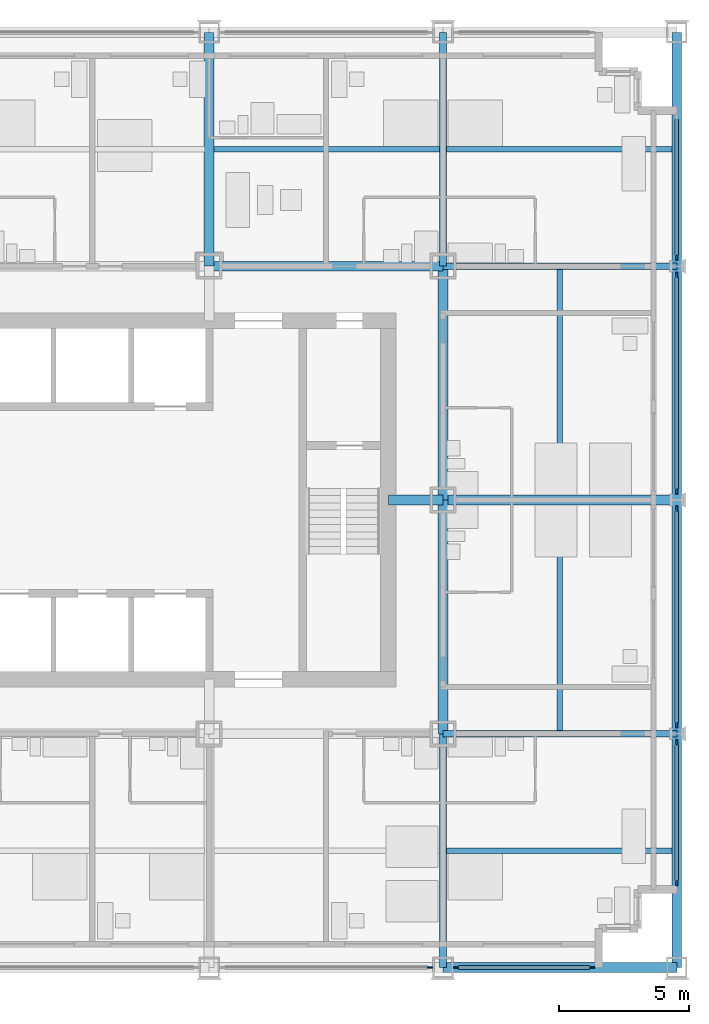
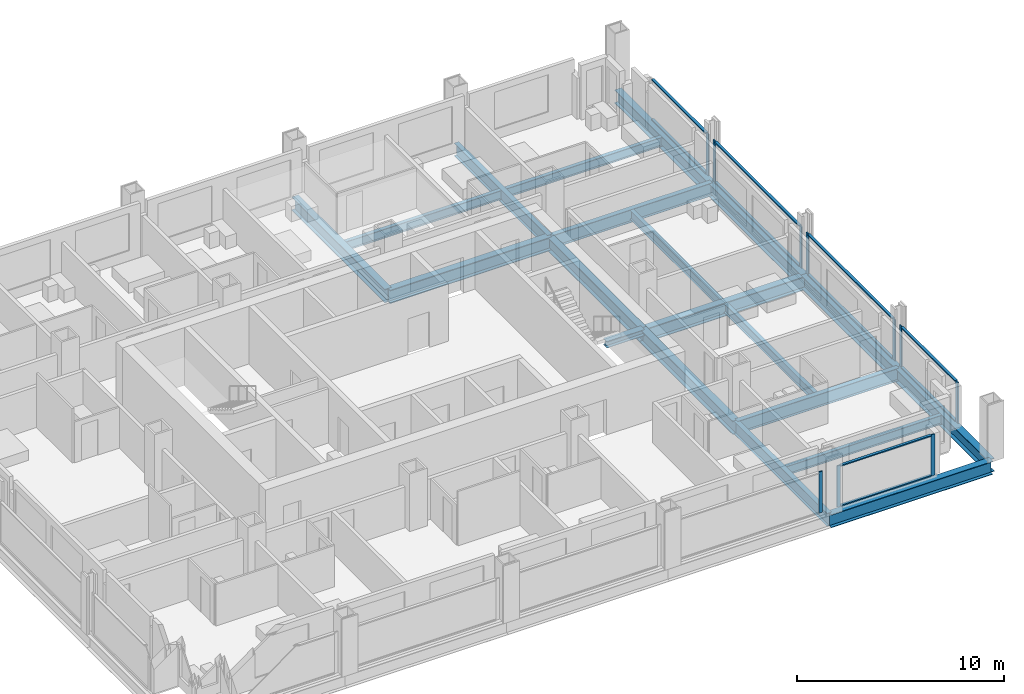
# One storey, part 5 of 16: 21 members, 19 beams, 6 elements without a shape of their own.
"""IFC4 building model written with IfcOpenShell, lengths in metres."""

from ifc_helpers import new_model, si_unit, direction, frame, origin, origin_2d, place, context, subcontext, project, spatial, rectangle, i_section, extrude, material, material_profile, profile_set, type_object, element, aggregate, save


model = new_model("IFC4")

# Units and contexts
model_context = context("Model", 3, precision=1e-05, world=origin(), true_north=direction((0.0, 1.0)))
body_context = subcontext(model_context, "Body", "Model", "MODEL_VIEW")
ifc_project = project(units=[si_unit("LENGTHUNIT", "METRE"), si_unit("AREAUNIT", "SQUARE_METRE"), si_unit("VOLUMEUNIT", "CUBIC_METRE"), si_unit("PLANEANGLEUNIT", "RADIAN"), si_unit("MASSUNIT", "GRAM", prefix="KILO")], contexts=[model_context])

# Site, building, storey
site_placement = place(None, origin())
site = spatial("IfcSite", under=ifc_project, at=site_placement, CompositionType="ELEMENT")
building_placement = place(site_placement, origin())
building = spatial("IfcBuilding", under=site, at=building_placement, Name="Loomwork Tower", CompositionType="ELEMENT")
storey_placement = place(building_placement, frame((0.0, 0.0, 97.60009765625)))
storey = spatial("IfcBuildingStorey", under=building, at=storey_placement, Name="L25", CompositionType="ELEMENT", Elevation=97.60009765625)

# Beams
ifc_material_1 = material(Name="Steel ASTM A992", Category="steel")
ifc_material_profile_1 = material_profile(ifc_material_1, i_section(OverallWidth=0.383544921875, OverallDepth=0.794921875, WebThickness=0.02099609375, FlangeThickness=0.0380859375, at=origin_2d()), Name="W30x235")
ifc_profile_set_1 = profile_set([ifc_material_profile_1], Name="Steel ASTM A992")
beam_type_1 = type_object("IfcBeamType", Name="CORE FLANK GIRDER W30x235", PredefinedType="BEAM", material=ifc_profile_set_1)
for number, where, z_axis, x_axis, name in (
    (1, (36.0, 18.0, -0.59765625), (1.0, 0.0, 0.0), (0.0, 1.0, 0.0), "Core Flank Girder F/6-F/7 L25"),
    (2, (27.0, 27.0, -0.59765625), (1.0, 0.0, 0.0), (0.0, 1.0, 0.0), "Core Flank Girder G/5-G/6 L25"),
    (3, (27.0, 27.0, -0.59765625), (0.0, 1.0, 0.0), (-1.0, 0.0, 0.0), "Core Flank Girder G/5-H/5 L25"),
    (4, (36.0, 9.0, -0.59765625), (0.0, 1.0, 0.0), (-1.0, 0.0, 0.0), "Core Flank Girder E/6-F/6 L25"),
    (5, (36.0, 18.0, -0.59765625), (0.0, 1.0, 0.0), (-1.0, 0.0, 0.0), "Core Flank Girder F/6-G/6 L25"),
):
    element("IfcBeam", number, at=place(storey_placement, frame(where, z_axis=z_axis, x_axis=x_axis)), inside=storey, type_object=beam_type_1, Name=name, PredefinedType="BEAM", context=body_context, shape_type="SweptSolid", body=[
        extrude(i_section(OverallWidth=0.383544921875, OverallDepth=0.794921875, WebThickness=0.02099609375, FlangeThickness=0.0380859375, at=origin_2d()), origin(), (0.0, 0.0, 1.0), 9.0),
    ])

# Member
ifc_material_2 = material(Name="Steel ASTM A992", Category="steel")
ifc_material_profile_2 = material_profile(ifc_material_2, i_section(OverallWidth=0.373291015625, OverallDepth=0.373291015625, WebThickness=0.016357421875, FlangeThickness=0.026123046875, at=origin_2d()), Name="W14x132")
ifc_profile_set_2 = profile_set([ifc_material_profile_2], Name="Steel ASTM A992")
member_type_1 = type_object("IfcMemberType", Name="CORE LINK STRUT W14x132", PredefinedType="STRUT", material=ifc_profile_set_2)
member_1_placement = place(storey_placement, frame((36.0, 18.0, -0.38671875), z_axis=(-1.0, 0.0, 0.0), x_axis=(0.0, -1.0, 0.0)))
element("IfcMember", 6, at=member_1_placement, inside=storey, type_object=member_type_1, Name="Core link strut F/6-33.900,18.000 L25", PredefinedType="STRUT", context=body_context, shape_type="SweptSolid", body=[
    extrude(i_section(OverallWidth=0.373291015625, OverallDepth=0.373291015625, WebThickness=0.016357421875, FlangeThickness=0.026123046875, at=origin_2d()), origin(), (0.0, 0.0, 1.0), 2.10009765625),
])

# Beams
ifc_material_3 = material(Name="Steel ASTM A992", Category="steel")
ifc_material_profile_3 = material_profile(ifc_material_3, i_section(OverallWidth=0.2666015625, OverallDepth=0.761962890625, WebThickness=0.014404296875, FlangeThickness=0.021484375, at=origin_2d()), Name="W30x116")
ifc_profile_set_3 = profile_set([ifc_material_profile_3], Name="Steel ASTM A992")
beam_type_2 = type_object("IfcBeamType", Name="FLOOR GIRDER W30x116", PredefinedType="BEAM", material=ifc_profile_set_3)
for number, where, z_axis, x_axis, name in (
    (7, (36.0, 9.0, -0.5810546875), (1.0, 0.0, 0.0), (0.0, 1.0, 0.0), "Floor Girder E/6-E/7 L25"),
    (8, (36.0, 27.0, -0.5810546875), (1.0, 0.0, 0.0), (0.0, 1.0, 0.0), "Floor Girder G/6-G/7 L25"),
    (9, (36.0, 0.0, -0.5810546875), (0.0, 1.0, 0.0), (-1.0, 0.0, 0.0), "Floor Girder D/6-E/6 L25"),
    (10, (36.0, 27.0, -0.5810546875), (0.0, 1.0, 0.0), (-1.0, 0.0, 0.0), "Floor Girder G/6-H/6 L25"),
):
    element("IfcBeam", number, at=place(storey_placement, frame(where, z_axis=z_axis, x_axis=x_axis)), inside=storey, type_object=beam_type_2, Name=name, PredefinedType="BEAM", context=body_context, shape_type="SweptSolid", body=[
        extrude(i_section(OverallWidth=0.2666015625, OverallDepth=0.761962890625, WebThickness=0.014404296875, FlangeThickness=0.021484375, at=origin_2d()), origin(), (0.0, 0.0, 1.0), 9.0),
    ])
ifc_material_4 = material(Name="Steel ASTM A992", Category="steel")
ifc_material_profile_4 = material_profile(ifc_material_4, i_section(OverallWidth=0.2109375, OverallDepth=0.53857421875, WebThickness=0.011474609375, FlangeThickness=0.018798828125, at=origin_2d()), Name="W21x73")
ifc_profile_set_4 = profile_set([ifc_material_profile_4], Name="Steel ASTM A992")
beam_type_3 = type_object("IfcBeamType", Name="FLOOR JOIST W21x73", PredefinedType="JOIST", material=ifc_profile_set_4)
beam_1_placement = place(storey_placement, frame((27.19091796875, 31.5, -0.46923828125), z_axis=(1.0, 0.0, 0.0), x_axis=(0.0, 1.0, 0.0)))
element("IfcBeam", 11, at=beam_1_placement, inside=storey, type_object=beam_type_3, Name="Floor Joist 27.000,31.500-36.000,31.500 L25", PredefinedType="JOIST", context=body_context, shape_type="SweptSolid", body=[
    extrude(i_section(OverallWidth=0.2109375, OverallDepth=0.53857421875, WebThickness=0.011474609375, FlangeThickness=0.018798828125, at=origin_2d()), origin(), (0.0, 0.0, 1.0), 8.676025390625),
])
beam_2_placement = place(storey_placement, frame((36.133056640625, 4.5, -0.46923828125), z_axis=(1.0, 0.0, 0.0), x_axis=(0.0, 1.0, 0.0)))
element("IfcBeam", 12, at=beam_2_placement, inside=storey, type_object=beam_type_3, Name="Floor Joist 36.000,4.500-45.000,4.500 L25", PredefinedType="JOIST", context=body_context, shape_type="SweptSolid", body=[
    extrude(i_section(OverallWidth=0.2109375, OverallDepth=0.53857421875, WebThickness=0.011474609375, FlangeThickness=0.018798828125, at=origin_2d()), origin(), (0.0, 0.0, 1.0), 8.677001953125),
])
for number, where, z_axis, x_axis, name in (
    (13, (40.5, 9.133056640625, -0.46923828125), (0.0, 1.0, 0.0), (-1.0, 0.0, 0.0), "Floor Joist 40.500,9.000-40.500,18.000 L25"),
    (14, (40.5, 18.19091796875, -0.46923828125), (0.0, 1.0, 0.0), (-1.0, 0.0, 0.0), "Floor Joist 40.500,18.000-40.500,27.000 L25"),
):
    element("IfcBeam", number, at=place(storey_placement, frame(where, z_axis=z_axis, x_axis=x_axis)), inside=storey, type_object=beam_type_3, Name=name, PredefinedType="JOIST", context=body_context, shape_type="SweptSolid", body=[
        extrude(i_section(OverallWidth=0.2109375, OverallDepth=0.53857421875, WebThickness=0.011474609375, FlangeThickness=0.018798828125, at=origin_2d()), origin(), (0.0, 0.0, 1.0), 8.676025390625),
    ])
beam_3_placement = place(storey_placement, frame((36.133056640625, 31.5, -0.46923828125), z_axis=(1.0, 0.0, 0.0), x_axis=(0.0, 1.0, 0.0)))
element("IfcBeam", 15, at=beam_3_placement, inside=storey, type_object=beam_type_3, Name="Floor Joist 36.000,31.500-45.000,31.500 L25", PredefinedType="JOIST", context=body_context, shape_type="SweptSolid", body=[
    extrude(i_section(OverallWidth=0.2109375, OverallDepth=0.53857421875, WebThickness=0.011474609375, FlangeThickness=0.018798828125, at=origin_2d()), origin(), (0.0, 0.0, 1.0), 8.677001953125),
])

# Curtain wall, member
ifc_material_5 = material(Name="Aluminium curtain wall frame", Category="aluminium")
curtain_wall_type = type_object("IfcCurtainWallType", Name="Outer skin glazing hotel", PredefinedType="NOTDEFINED", material=ifc_material_5)
curtain_wall_1_placement = place(storey_placement, origin())
curtain_wall_1 = element("IfcCurtainWall", 16, at=curtain_wall_1_placement, inside=storey, type_object=curtain_wall_type, Name="Outer skin glazing hotel cw/S-27", PredefinedType="NOTDEFINED")
ifc_material_6 = material(Name="Aluminium curtain wall frame", Category="aluminium")
ifc_material_profile_5 = material_profile(ifc_material_6, rectangle(XDim=0.06494140625, YDim=0.199951171875, at=origin_2d()), Name="AL 65x200")
ifc_profile_set_5 = profile_set([ifc_material_profile_5], Name="Aluminium curtain wall frame")
member_type_2 = type_object("IfcMemberType", Name="Outer skin glazing hotel mullion", PredefinedType="MULLION", material=ifc_profile_set_5)
member_2_placement = place(storey_placement, frame((35.5, 0.0, 0.0), z_axis=(0.0, 0.0, 1.0), x_axis=(0.0, 1.0, 0.0)))
member_2 = element("IfcMember", 17, at=member_2_placement, type_object=member_type_2, Name="CW1 mullion 2", PredefinedType="MULLION", context=body_context, shape_type="SweptSolid", body=[
    extrude(rectangle(XDim=0.06494140625, YDim=0.199951171875, at=origin_2d()), origin(), (0.0, 0.0, 1.0), 2.420166015625),
])
aggregate(curtain_wall_1, [member_2])

# Curtain wall, members
curtain_wall_2_placement = place(storey_placement, origin())
curtain_wall_2 = element("IfcCurtainWall", 18, at=curtain_wall_2_placement, inside=storey, type_object=curtain_wall_type, Name="Outer skin glazing hotel cw/S-36", PredefinedType="NOTDEFINED")
member_3_placement = place(storey_placement, frame((36.5, 0.0, 0.0), z_axis=(0.0, 0.0, 1.0), x_axis=(0.0, 1.0, 0.0)))
member_3 = element("IfcMember", 19, at=member_3_placement, type_object=member_type_2, Name="CW1 mullion 1", PredefinedType="MULLION", context=body_context, shape_type="SweptSolid", body=[
    extrude(rectangle(XDim=0.06494140625, YDim=0.199951171875, at=origin_2d()), origin(), (0.0, 0.0, 1.0), 2.420166015625),
])
member_4_placement = place(storey_placement, frame((41.75, 0.0, 0.0), z_axis=(0.0, 0.0, 1.0), x_axis=(0.0, 1.0, 0.0)))
member_4 = element("IfcMember", 20, at=member_4_placement, type_object=member_type_2, Name="CW1 mullion 2", PredefinedType="MULLION", context=body_context, shape_type="SweptSolid", body=[
    extrude(rectangle(XDim=0.06494140625, YDim=0.199951171875, at=origin_2d()), origin(), (0.0, 0.0, 1.0), 2.420166015625),
])

curtain_wall_3_placement = place(storey_placement, origin())
curtain_wall_3 = element("IfcCurtainWall", 21, at=curtain_wall_3_placement, inside=storey, type_object=curtain_wall_type, Name="Outer skin glazing hotel cw/E-0", PredefinedType="NOTDEFINED")
member_5_placement = place(storey_placement, frame((45.0, 3.25, 0.0), z_axis=(0.0, 0.0, 1.0), x_axis=(-1.0, 0.0, 0.0)))
member_5 = element("IfcMember", 22, at=member_5_placement, type_object=member_type_2, Name="CW1 mullion 1", PredefinedType="MULLION", context=body_context, shape_type="SweptSolid", body=[
    extrude(rectangle(XDim=0.06494140625, YDim=0.199951171875, at=origin_2d()), origin(), (0.0, 0.0, 1.0), 2.420166015625),
])
member_6_placement = place(storey_placement, frame((45.0, 8.67529296875, 0.0), z_axis=(0.0, 0.0, 1.0), x_axis=(-1.0, 0.0, 0.0)))
member_6 = element("IfcMember", 23, at=member_6_placement, type_object=member_type_2, Name="CW1 mullion 2", PredefinedType="MULLION", context=body_context, shape_type="SweptSolid", body=[
    extrude(rectangle(XDim=0.06494140625, YDim=0.199951171875, at=origin_2d()), origin(), (0.0, 0.0, 1.0), 2.420166015625),
])

curtain_wall_4_placement = place(storey_placement, origin())
curtain_wall_4 = element("IfcCurtainWall", 24, at=curtain_wall_4_placement, inside=storey, type_object=curtain_wall_type, Name="Outer skin glazing hotel cw/E-9", PredefinedType="NOTDEFINED")
member_7_placement = place(storey_placement, frame((45.0, 9.32470703125, 0.0), z_axis=(0.0, 0.0, 1.0), x_axis=(-1.0, 0.0, 0.0)))
member_7 = element("IfcMember", 25, at=member_7_placement, type_object=member_type_2, Name="CW1 mullion 1", PredefinedType="MULLION", context=body_context, shape_type="SweptSolid", body=[
    extrude(rectangle(XDim=0.06494140625, YDim=0.199951171875, at=origin_2d()), origin(), (0.0, 0.0, 1.0), 2.420166015625),
])
member_8_placement = place(storey_placement, frame((45.0, 17.67529296875, 0.0), z_axis=(0.0, 0.0, 1.0), x_axis=(-1.0, 0.0, 0.0)))
member_8 = element("IfcMember", 26, at=member_8_placement, type_object=member_type_2, Name="CW1 mullion 2", PredefinedType="MULLION", context=body_context, shape_type="SweptSolid", body=[
    extrude(rectangle(XDim=0.06494140625, YDim=0.199951171875, at=origin_2d()), origin(), (0.0, 0.0, 1.0), 2.420166015625),
])

curtain_wall_5_placement = place(storey_placement, origin())
curtain_wall_5 = element("IfcCurtainWall", 27, at=curtain_wall_5_placement, inside=storey, type_object=curtain_wall_type, Name="Outer skin glazing hotel cw/E-18", PredefinedType="NOTDEFINED")
member_9_placement = place(storey_placement, frame((45.0, 18.32470703125, 0.0), z_axis=(0.0, 0.0, 1.0), x_axis=(-1.0, 0.0, 0.0)))
member_9 = element("IfcMember", 28, at=member_9_placement, type_object=member_type_2, Name="CW1 mullion 1", PredefinedType="MULLION", context=body_context, shape_type="SweptSolid", body=[
    extrude(rectangle(XDim=0.06494140625, YDim=0.199951171875, at=origin_2d()), origin(), (0.0, 0.0, 1.0), 2.420166015625),
])
member_10_placement = place(storey_placement, frame((45.0, 26.67529296875, 0.0), z_axis=(0.0, 0.0, 1.0), x_axis=(-1.0, 0.0, 0.0)))
member_10 = element("IfcMember", 29, at=member_10_placement, type_object=member_type_2, Name="CW1 mullion 2", PredefinedType="MULLION", context=body_context, shape_type="SweptSolid", body=[
    extrude(rectangle(XDim=0.06494140625, YDim=0.199951171875, at=origin_2d()), origin(), (0.0, 0.0, 1.0), 2.420166015625),
])

# Curtain wall, member
curtain_wall_6_placement = place(storey_placement, origin())
curtain_wall_6 = element("IfcCurtainWall", 30, at=curtain_wall_6_placement, inside=storey, type_object=curtain_wall_type, Name="Outer skin glazing hotel cw/E-27", PredefinedType="NOTDEFINED")
member_11_placement = place(storey_placement, frame((45.0, 27.32470703125, 0.0), z_axis=(0.0, 0.0, 1.0), x_axis=(-1.0, 0.0, 0.0)))
member_11 = element("IfcMember", 31, at=member_11_placement, type_object=member_type_2, Name="CW1 mullion 1", PredefinedType="MULLION", context=body_context, shape_type="SweptSolid", body=[
    extrude(rectangle(XDim=0.06494140625, YDim=0.199951171875, at=origin_2d()), origin(), (0.0, 0.0, 1.0), 2.420166015625),
])

# Member
ifc_material_7 = material(Name="Aluminium curtain wall frame", Category="aluminium")
ifc_material_profile_6 = material_profile(ifc_material_7, rectangle(XDim=0.14990234375, YDim=0.06494140625, at=origin_2d()), Name="AL 65x150")
ifc_profile_set_6 = profile_set([ifc_material_profile_6], Name="Aluminium curtain wall frame")
member_type_3 = type_object("IfcMemberType", Name="Outer skin glazing hotel transom", PredefinedType="USERDEFINED", material=ifc_profile_set_6)
member_12_placement = place(storey_placement, frame((36.60009765625, 0.0, 0.032470703125), z_axis=(1.0, 0.0, 0.0), x_axis=(0.0, 1.0, 0.0)))
member_12 = element("IfcMember", 32, at=member_12_placement, type_object=member_type_3, Name="CW1 transom 1.1", ObjectType="TRANSOM", PredefinedType="USERDEFINED", context=body_context, shape_type="SweptSolid", body=[
    extrude(rectangle(XDim=0.14990234375, YDim=0.06494140625, at=origin_2d()), origin(), (0.0, 0.0, 1.0), 5.0498046875),
])

member_13_placement = place(storey_placement, frame((36.60009765625, 0.0, 2.3876953125), z_axis=(1.0, 0.0, 0.0), x_axis=(0.0, 1.0, 0.0)))
member_13 = element("IfcMember", 33, at=member_13_placement, type_object=member_type_3, Name="CW1 transom 1.2", ObjectType="TRANSOM", PredefinedType="USERDEFINED", context=body_context, shape_type="SweptSolid", body=[
    extrude(rectangle(XDim=0.14990234375, YDim=0.06494140625, at=origin_2d()), origin(), (0.0, 0.0, 1.0), 5.0498046875),
])

aggregate(curtain_wall_2, [member_3, member_4, member_12, member_13])

member_14_placement = place(storey_placement, frame((45.0, 3.35009765625, 0.032470703125), z_axis=(0.0, 1.0, 0.0), x_axis=(-1.0, 0.0, 0.0)))
member_14 = element("IfcMember", 34, at=member_14_placement, type_object=member_type_3, Name="CW1 transom 1.1", ObjectType="TRANSOM", PredefinedType="USERDEFINED", context=body_context, shape_type="SweptSolid", body=[
    extrude(rectangle(XDim=0.14990234375, YDim=0.06494140625, at=origin_2d()), origin(), (0.0, 0.0, 1.0), 5.22509765625),
])

member_15_placement = place(storey_placement, frame((45.0, 3.35009765625, 2.3876953125), z_axis=(0.0, 1.0, 0.0), x_axis=(-1.0, 0.0, 0.0)))
member_15 = element("IfcMember", 35, at=member_15_placement, type_object=member_type_3, Name="CW1 transom 1.2", ObjectType="TRANSOM", PredefinedType="USERDEFINED", context=body_context, shape_type="SweptSolid", body=[
    extrude(rectangle(XDim=0.14990234375, YDim=0.06494140625, at=origin_2d()), origin(), (0.0, 0.0, 1.0), 5.22509765625),
])

aggregate(curtain_wall_3, [member_5, member_6, member_14, member_15])

member_16_placement = place(storey_placement, frame((45.0, 9.4248046875, 0.032470703125), z_axis=(0.0, 1.0, 0.0), x_axis=(-1.0, 0.0, 0.0)))
member_16 = element("IfcMember", 36, at=member_16_placement, type_object=member_type_3, Name="CW1 transom 1.1", ObjectType="TRANSOM", PredefinedType="USERDEFINED", context=body_context, shape_type="SweptSolid", body=[
    extrude(rectangle(XDim=0.14990234375, YDim=0.06494140625, at=origin_2d()), origin(), (0.0, 0.0, 1.0), 8.150390625),
])

member_17_placement = place(storey_placement, frame((45.0, 9.4248046875, 2.3876953125), z_axis=(0.0, 1.0, 0.0), x_axis=(-1.0, 0.0, 0.0)))
member_17 = element("IfcMember", 37, at=member_17_placement, type_object=member_type_3, Name="CW1 transom 1.2", ObjectType="TRANSOM", PredefinedType="USERDEFINED", context=body_context, shape_type="SweptSolid", body=[
    extrude(rectangle(XDim=0.14990234375, YDim=0.06494140625, at=origin_2d()), origin(), (0.0, 0.0, 1.0), 8.150390625),
])

aggregate(curtain_wall_4, [member_7, member_8, member_16, member_17])

member_18_placement = place(storey_placement, frame((45.0, 18.4248046875, 0.032470703125), z_axis=(0.0, 1.0, 0.0), x_axis=(-1.0, 0.0, 0.0)))
member_18 = element("IfcMember", 38, at=member_18_placement, type_object=member_type_3, Name="CW1 transom 1.1", ObjectType="TRANSOM", PredefinedType="USERDEFINED", context=body_context, shape_type="SweptSolid", body=[
    extrude(rectangle(XDim=0.14990234375, YDim=0.06494140625, at=origin_2d()), origin(), (0.0, 0.0, 1.0), 8.150390625),
])

member_19_placement = place(storey_placement, frame((45.0, 18.4248046875, 2.3876953125), z_axis=(0.0, 1.0, 0.0), x_axis=(-1.0, 0.0, 0.0)))
member_19 = element("IfcMember", 39, at=member_19_placement, type_object=member_type_3, Name="CW1 transom 1.2", ObjectType="TRANSOM", PredefinedType="USERDEFINED", context=body_context, shape_type="SweptSolid", body=[
    extrude(rectangle(XDim=0.14990234375, YDim=0.06494140625, at=origin_2d()), origin(), (0.0, 0.0, 1.0), 8.150390625),
])

aggregate(curtain_wall_5, [member_9, member_10, member_18, member_19])

member_20_placement = place(storey_placement, frame((45.0, 27.4248046875, 0.032470703125), z_axis=(0.0, 1.0, 0.0), x_axis=(-1.0, 0.0, 0.0)))
member_20 = element("IfcMember", 40, at=member_20_placement, type_object=member_type_3, Name="CW1 transom 1.1", ObjectType="TRANSOM", PredefinedType="USERDEFINED", context=body_context, shape_type="SweptSolid", body=[
    extrude(rectangle(XDim=0.14990234375, YDim=0.06494140625, at=origin_2d()), origin(), (0.0, 0.0, 1.0), 5.22509765625),
])

member_21_placement = place(storey_placement, frame((45.0, 27.4248046875, 2.3876953125), z_axis=(0.0, 1.0, 0.0), x_axis=(-1.0, 0.0, 0.0)))
member_21 = element("IfcMember", 41, at=member_21_placement, type_object=member_type_3, Name="CW1 transom 1.2", ObjectType="TRANSOM", PredefinedType="USERDEFINED", context=body_context, shape_type="SweptSolid", body=[
    extrude(rectangle(XDim=0.14990234375, YDim=0.06494140625, at=origin_2d()), origin(), (0.0, 0.0, 1.0), 5.22509765625),
])

aggregate(curtain_wall_6, [member_11, member_20, member_21])

# Beams
ifc_material_8 = material(Name="Steel ASTM A992", Category="steel")
ifc_material_profile_7 = material_profile(ifc_material_8, i_section(OverallWidth=0.381103515625, OverallDepth=0.77978515625, WebThickness=0.01806640625, FlangeThickness=0.0302734375, at=origin_2d()), Name="W30x191")
ifc_profile_set_7 = profile_set([ifc_material_profile_7], Name="Steel ASTM A992")
beam_type_4 = type_object("IfcBeamType", Name="SPANDREL GIRDER W30x191", PredefinedType="SPANDREL", material=ifc_profile_set_7)
for number, where, z_axis, x_axis, name in (
    (42, (36.0, 0.0, -0.590087890625), (1.0, 0.0, 0.0), (0.0, 1.0, 0.0), "Spandrel Girder D/6-D/7 L25"),
    (43, (45.0, 0.0, -0.590087890625), (0.0, 1.0, 0.0), (-1.0, 0.0, 0.0), "Spandrel Girder D/7-E/7 L25"),
    (44, (45.0, 9.0, -0.590087890625), (0.0, 1.0, 0.0), (-1.0, 0.0, 0.0), "Spandrel Girder E/7-F/7 L25"),
    (45, (45.0, 18.0, -0.590087890625), (0.0, 1.0, 0.0), (-1.0, 0.0, 0.0), "Spandrel Girder F/7-G/7 L25"),
    (46, (45.0, 27.0, -0.590087890625), (0.0, 1.0, 0.0), (-1.0, 0.0, 0.0), "Spandrel Girder G/7-H/7 L25"),
):
    element("IfcBeam", number, at=place(storey_placement, frame(where, z_axis=z_axis, x_axis=x_axis)), inside=storey, type_object=beam_type_4, Name=name, PredefinedType="SPANDREL", context=body_context, shape_type="SweptSolid", body=[
        extrude(i_section(OverallWidth=0.381103515625, OverallDepth=0.77978515625, WebThickness=0.01806640625, FlangeThickness=0.0302734375, at=origin_2d()), origin(), (0.0, 0.0, 1.0), 9.0),
    ])

save(model, "model.ifc")
